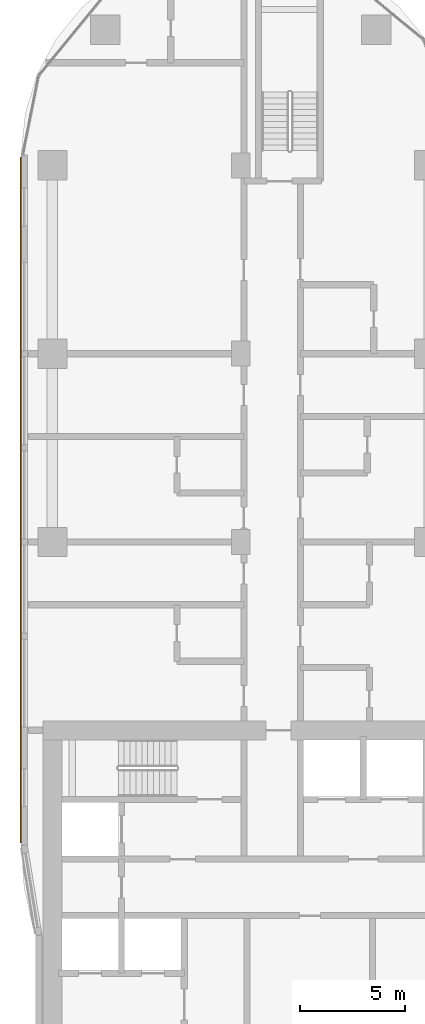
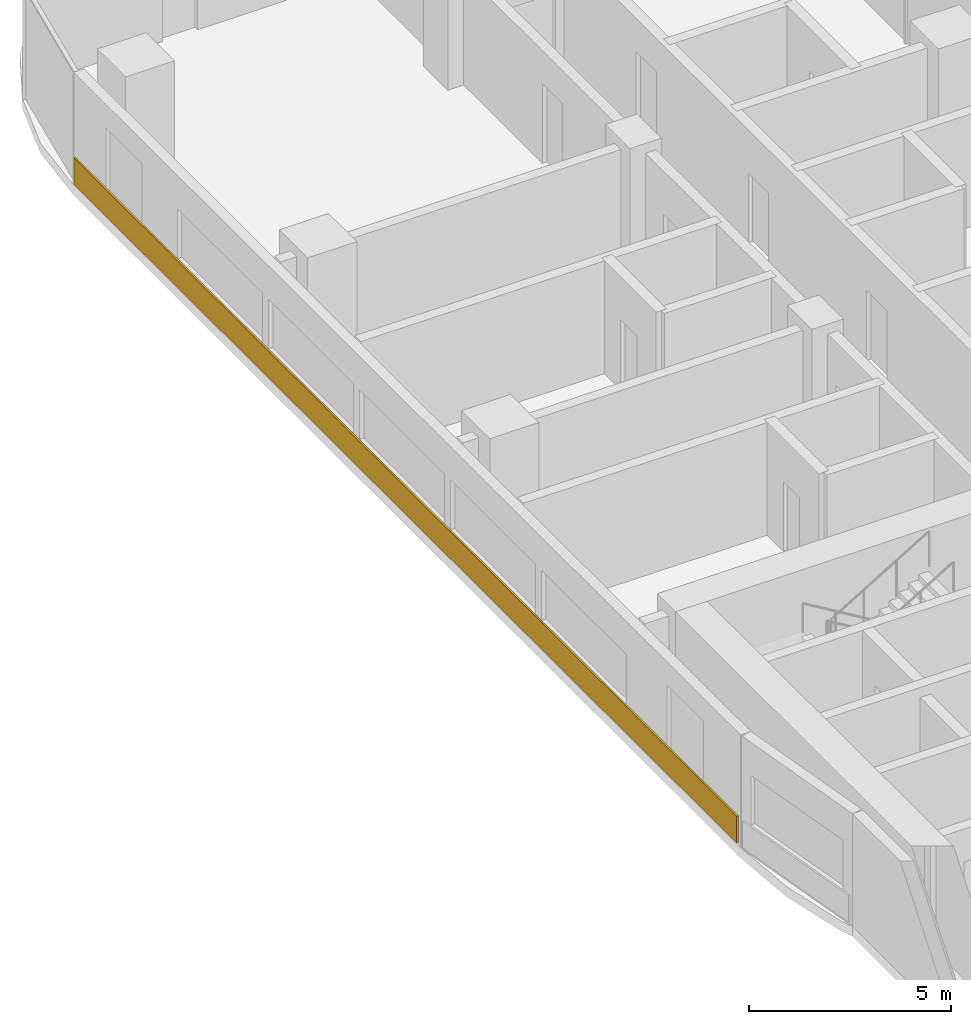
# One storey, part 31 of 33: 1 covering.
"""IFC4 building model written with IfcOpenShell, lengths in metres."""

import ifcopenshell
import ifcopenshell.guid

model = None  # the IFC model being written
_history = None  # IfcOwnerHistory: only IFC2X3 demands one
_inside = {}  # id of a spatial element -> (the spatial element, [elements in it])
_under = {}  # id of a project, library or spatial element -> (it, [spatial elements below it])
_declared = {}  # id of a project -> (the project, [libraries it declares])
_typed = {}  # id of a type object -> (the type object, [elements of that type])
_made_of = {}  # id of a material, layer set ... -> (it, [elements and type objects made of it])


def new_model(schema):
    """Start an empty IFC model of exactly this schema.

    Asked for "IFC4X3", IfcOpenShell would pick the latest addendum, in which some entities
    have other attributes; the version numbers below select the first issue.
    IFC2X3 requires an IfcOwnerHistory on every rooted entity: one is made here for all.
    """
    global model, _history
    if schema == "IFC4X3":
        model = ifcopenshell.file(schema_version=(4, 3, 0, 0))
    else:
        model = ifcopenshell.file(schema=schema)
    _inside.clear()
    _under.clear()
    _declared.clear()
    _typed.clear()
    _made_of.clear()
    _history = None
    if model.schema == "IFC2X3":
        org = make("IfcOrganization", Name="unknown")
        user = make(
            "IfcPersonAndOrganization",
            ThePerson=make("IfcPerson", FamilyName="unknown"),
            TheOrganization=org,
        )
        app = make(
            "IfcApplication",
            ApplicationDeveloper=org,
            Version="unknown",
            ApplicationFullName="unknown",
            ApplicationIdentifier="unknown",
        )
        _history = make(
            "IfcOwnerHistory",
            OwningUser=user,
            OwningApplication=app,
            ChangeAction="ADDED",
            CreationDate=0,
        )
    return model


def make(cls, **values):
    """One entity of the class cls with the attributes given. An attribute that is None is left unset."""
    return model.create_entity(
        cls, **{name: value for name, value in values.items() if value is not None}
    )


def rooted(cls, **values):
    """An entity with a GlobalId (a new one), such as an element, a storey or a relation."""
    return make(cls, GlobalId=ifcopenshell.guid.new(), OwnerHistory=_history, **values)


def si_unit(unit_type, name, prefix=None):
    """IfcSIUnit, for example si_unit("LENGTHUNIT", "METRE", prefix="MILLI")."""
    return make("IfcSIUnit", UnitType=unit_type, Prefix=prefix, Name=name)


def assignment(units):
    """IfcUnitAssignment: the units of a project."""
    return None if units is None else make("IfcUnitAssignment", Units=units)


def point(xyz):
    """IfcCartesianPoint."""
    return None if xyz is None else make("IfcCartesianPoint", Coordinates=xyz)


def direction(xyz):
    """IfcDirection."""
    return None if xyz is None else make("IfcDirection", DirectionRatios=xyz)


def frame(location, z_axis=None, x_axis=None):
    """IfcAxis2Placement3D, a coordinate frame: its origin and axes. An axis left out is left unset."""
    return make(
        "IfcAxis2Placement3D",
        Location=point(location),
        Axis=direction(z_axis),
        RefDirection=direction(x_axis),
    )


def frame_2d(location, x_axis=None):
    """IfcAxis2Placement2D, a coordinate frame in the plane: its origin and x axis."""
    return make(
        "IfcAxis2Placement2D", Location=point(location), RefDirection=direction(x_axis)
    )


def origin():
    """The frame at (0, 0, 0) with its axes left unset."""
    return frame((0.0, 0.0, 0.0))


def origin_2d():
    """The frame at (0, 0) in the plane with its x axis left unset."""
    return frame_2d((0.0, 0.0))


def place(relative_to, where):
    """IfcLocalPlacement: puts the frame where relative to a parent placement (None: the world)."""
    return make(
        "IfcLocalPlacement", PlacementRelTo=relative_to, RelativePlacement=where
    )


def context(
    kind, dimensions, precision=None, world=None, true_north=None, identifier=None
):
    """IfcGeometricRepresentationContext, for example the 3D "Model" context."""
    return make(
        "IfcGeometricRepresentationContext",
        ContextIdentifier=identifier,
        ContextType=kind,
        CoordinateSpaceDimension=dimensions,
        Precision=precision,
        WorldCoordinateSystem=world,
        TrueNorth=true_north,
    )


def subcontext(parent, identifier, kind, view, scale=None):
    """IfcGeometricRepresentationSubContext, for example "Body" below "Model"."""
    return make(
        "IfcGeometricRepresentationSubContext",
        ContextIdentifier=identifier,
        ContextType=kind,
        ParentContext=parent,
        TargetScale=scale,
        TargetView=view,
    )


def project(units=None, contexts=None):
    """IfcProject with its units and contexts."""
    return rooted(
        "IfcProject",
        Name="project",
        RepresentationContexts=contexts,
        UnitsInContext=assignment(units),
    )


def spatial(cls, under=None, at=None, **own):
    """A site, building, storey or space (cls), placed at a placement, below another one or the project."""
    s = rooted(cls, ObjectPlacement=at, **own)
    if under is not None:
        _under.setdefault(under.id(), (under, []))[1].append(s)
    return s


def profile(cls, at=None, kind="AREA", **sizes):
    """A parametric profile (cls). Its sizes go by their IFC names, for example OverallWidth=200.0."""
    return make(cls, ProfileType=kind, Position=at, **sizes)


def rectangle(**sizes):
    """IfcRectangleProfileDef."""
    return profile("IfcRectangleProfileDef", **sizes)


def extrude(swept, where, along, depth):
    """IfcExtrudedAreaSolid: the profile swept, set in the frame where, extruded along a direction by depth."""
    return make(
        "IfcExtrudedAreaSolid",
        SweptArea=swept,
        Position=where,
        ExtrudedDirection=direction(along),
        Depth=depth,
    )


def shape(context_of_items, identifier, shape_type, items):
    """IfcShapeRepresentation: the items that make up one representation, for example the "Body"."""
    return make(
        "IfcShapeRepresentation",
        ContextOfItems=context_of_items,
        RepresentationIdentifier=identifier,
        RepresentationType=shape_type,
        Items=items,
    )


def material(Name=None, Category=None):
    """IfcMaterial."""
    return make("IfcMaterial", Name=Name, Category=Category)


def layer(
    of_material, thickness, ventilated=None, Name=None, Category=None, Priority=None
):
    """IfcMaterialLayer: one layer of a wall or slab, of a material (None: an air gap)."""
    return make(
        "IfcMaterialLayer",
        Material=of_material,
        LayerThickness=thickness,
        IsVentilated=ventilated,
        Name=Name,
        Category=Category,
        Priority=Priority,
    )


def layer_set(layers, Name=None):
    """IfcMaterialLayerSet."""
    return make("IfcMaterialLayerSet", MaterialLayers=layers, LayerSetName=Name)


def made_of(thing, what):
    """Note that an element or type object is made of a material, layer set ...; save() writes the relation."""
    if what is not None:
        _made_of.setdefault(what.id(), (what, []))[1].append(thing)
    return thing


def type_object(cls, material=None, **own):
    """A type object (cls), such as IfcWallType, which elements share."""
    return made_of(rooted(cls, **own), material)


def element(
    cls,
    number,
    at=None,
    inside=None,
    cuts=None,
    type_object=None,
    material=None,
    context=None,
    identifier="Body",
    shape_type=None,
    held_by="IfcProductDefinitionShape",
    body=None,
    shapes=None,
    **own,
):
    """One element of the class cls, such as IfcWall. Its Tag is "e" and its number.

    at: its placement. inside: the storey or other place that contains it. cuts: it is an
    opening in that element (IfcRelVoidsElement). A single representation is given by context,
    identifier, shape_type and body (its items); several are given by shapes. held_by: the class
    of the entity that holds the representations. save() writes the other relations.
    """
    e = rooted(cls, Tag="e%d" % number, ObjectPlacement=at, **own)
    if body is not None:
        shapes = [shape(context, identifier, shape_type, body)]
    if shapes is not None:
        e.Representation = make(held_by, Representations=shapes)
    if inside is not None:
        _inside.setdefault(inside.id(), (inside, []))[1].append(e)
    if cuts is not None:
        rooted(
            "IfcRelVoidsElement", RelatingBuildingElement=cuts, RelatedOpeningElement=e
        )
    if type_object is not None:
        _typed.setdefault(type_object.id(), (type_object, []))[1].append(e)
    return made_of(e, material)


def aggregate(whole, parts):
    """IfcRelAggregates: a whole, such as a stair, and the parts it consists of."""
    return rooted("IfcRelAggregates", RelatingObject=whole, RelatedObjects=parts)


def save(model, path):
    """Write the relations noted so far, then the file.

    IfcRelAggregates (storeys below a building ...), IfcRelContainedInSpatialStructure (elements
    in a storey), IfcRelDefinesByType, IfcRelAssociatesMaterial and IfcRelDeclares: one each for
    every whole, place, type object, material and project.
    """
    for whole, parts in _under.values():
        aggregate(whole, parts)
    for where, things in _inside.values():
        rooted(
            "IfcRelContainedInSpatialStructure",
            RelatedElements=things,
            RelatingStructure=where,
        )
    for kind, things in _typed.values():
        rooted("IfcRelDefinesByType", RelatedObjects=things, RelatingType=kind)
    for what, things in _made_of.values():
        rooted("IfcRelAssociatesMaterial", RelatedObjects=things, RelatingMaterial=what)
    for by, libraries in _declared.values():
        rooted("IfcRelDeclares", RelatingContext=by, RelatedDefinitions=libraries)
    model.write(path)


model = new_model("IFC4")

# Units and contexts
model_context = context("Model", 3, precision=1e-05, world=origin(), true_north=direction((0.0, 1.0)))
body_context = subcontext(model_context, "Body", "Model", "MODEL_VIEW")
ifc_project = project(units=[si_unit("LENGTHUNIT", "METRE"), si_unit("AREAUNIT", "SQUARE_METRE"), si_unit("VOLUMEUNIT", "CUBIC_METRE"), si_unit("PLANEANGLEUNIT", "RADIAN"), si_unit("MASSUNIT", "GRAM", prefix="KILO")], contexts=[model_context])

# Site, building, storey
site_placement = place(None, origin())
site = spatial("IfcSite", under=ifc_project, at=site_placement, CompositionType="ELEMENT")
building_placement = place(site_placement, origin())
building = spatial("IfcBuilding", under=site, at=building_placement, Name="Ogive Portal Towers", CompositionType="ELEMENT")
storey_placement = place(building_placement, frame((0.0, 0.0, 77.89990234375)))
storey = spatial("IfcBuildingStorey", under=building, at=storey_placement, Name="L18", CompositionType="ELEMENT", Elevation=77.89990234375)

# Covering
ifc_material = material(Name="Limestone cladding on lightweight block wall", Category="masonry")
ifc_layer = layer(ifc_material, 0.050048828125)
ifc_layer_set = layer_set([ifc_layer], Name="SCREEN PERFORATED STONE")
covering_type = type_object("IfcCoveringType", Name="SCREEN PERFORATED STONE", PredefinedType="CLADDING", material=ifc_layer_set)
covering_placement = place(storey_placement, frame((29.97509765625, 50.50830078125, 0.10009765625), z_axis=(0.0, 0.0, 1.0), x_axis=(0.0, -1.0, 0.0)))
element("IfcCovering", 1, at=covering_placement, inside=storey, type_object=covering_type, Name="Tracery screen", PredefinedType="CLADDING", context=body_context, shape_type="SweptSolid", body=[
    extrude(rectangle(XDim=32.767822265625, YDim=0.050048828125, at=origin_2d()), origin(), (0.0, 0.0, 1.0), 0.800048828125),
])

save(model, "model.ifc")
